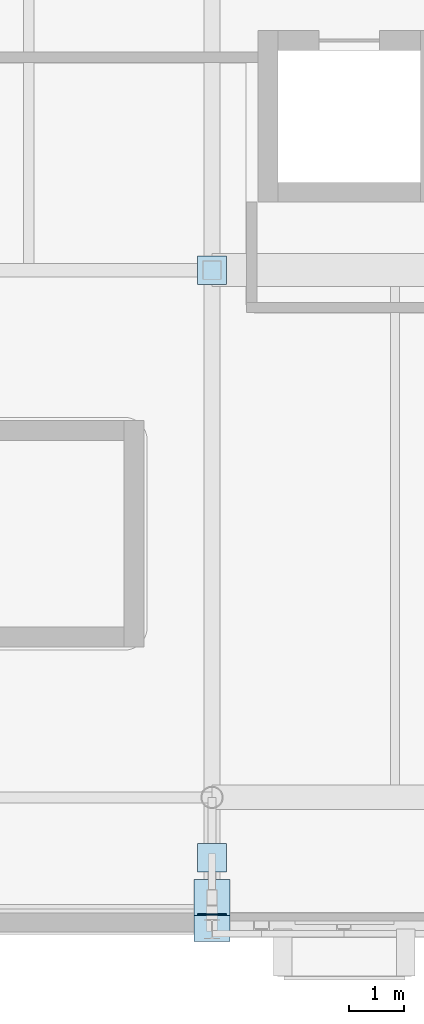
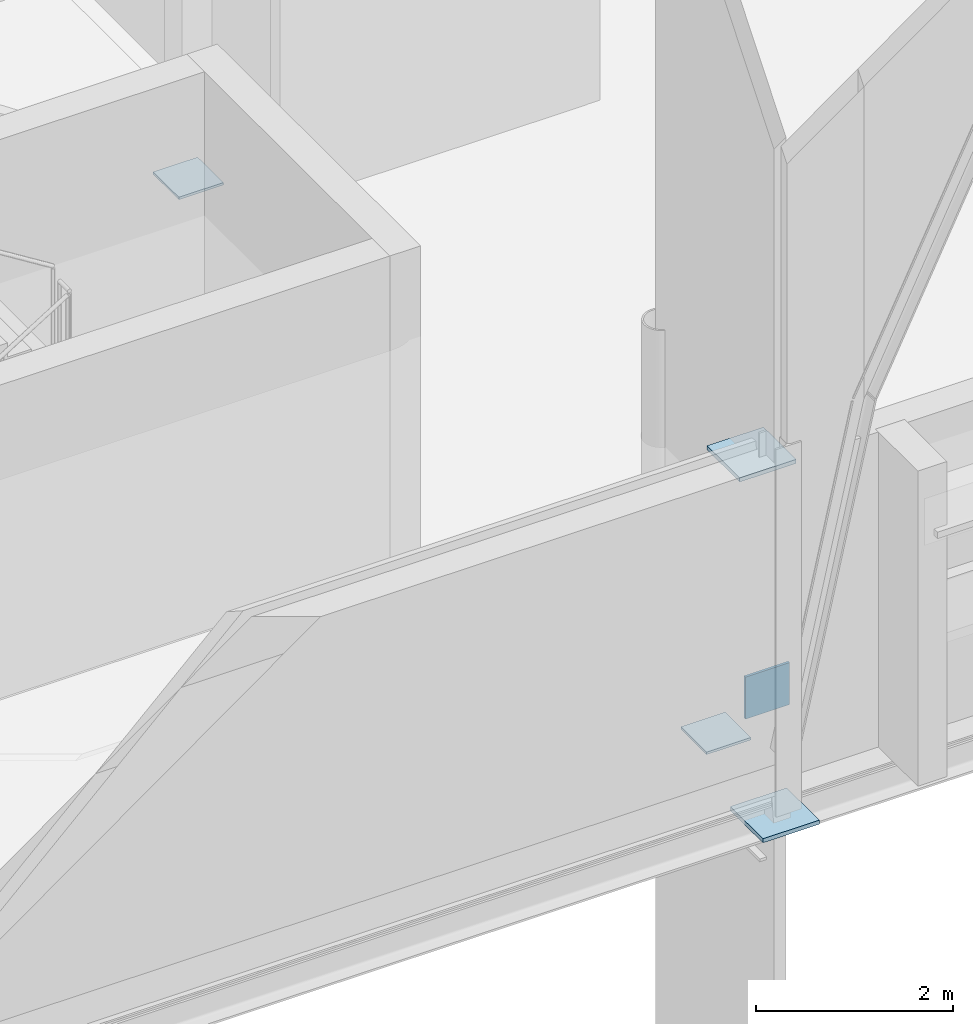
# One storey, part 56 of 90: 5 plates.
"""IFC4 building model written with IfcOpenShell, lengths in metres."""

from ifc_helpers import new_model, si_unit, direction, frame, origin, origin_2d, place, context, subcontext, project, spatial, rectangle, extrude, material, layer, layer_set, type_object, element, save


model = new_model("IFC4")

# Units and contexts
model_context = context("Model", 3, precision=1e-05, world=origin(), true_north=direction((0.0, 1.0)))
body_context = subcontext(model_context, "Body", "Model", "MODEL_VIEW")
ifc_project = project(units=[si_unit("LENGTHUNIT", "METRE"), si_unit("AREAUNIT", "SQUARE_METRE"), si_unit("VOLUMEUNIT", "CUBIC_METRE"), si_unit("PLANEANGLEUNIT", "RADIAN"), si_unit("MASSUNIT", "GRAM", prefix="KILO")], contexts=[model_context])

# Site, building, storey
site_placement = place(None, origin())
site = spatial("IfcSite", under=ifc_project, at=site_placement, CompositionType="ELEMENT")
building_placement = place(site_placement, origin())
building = spatial("IfcBuilding", under=site, at=building_placement, Name="Zereglee Splitstone Museum", CompositionType="ELEMENT")
storey_placement = place(building_placement, frame((0.0, 0.0, 4.800048828125)))
storey = spatial("IfcBuildingStorey", under=building, at=storey_placement, Name="L01", CompositionType="ELEMENT", Elevation=4.800048828125)

# Plates
ifc_material = material(Name="Steel S355J2", Category="steel")
ifc_layer_1 = layer(ifc_material, 0.030029296875)
ifc_layer_set_1 = layer_set([ifc_layer_1], Name="Steel S355J2")
plate_type_1 = type_object("IfcPlateType", Name="NP-04", PredefinedType="SHEET", material=ifc_layer_set_1)
for number, where, z_axis, x_axis, name in (
    (1, (195.199951171875, 9.60009765625, 0.10498046875), (0.0, 0.0, 1.0), (1.0, 0.0, 0.0), "CBF Brace Gusset Cap L01-016"),
    (2, (195.199951171875, -1.10009765625, -0.27490234375), (0.0, 0.0, 1.0), (1.0, 0.0, 0.0), "Facet Tie Seal Plate FH-V3S"),
):
    element("IfcPlate", number, at=place(storey_placement, frame(where, z_axis=z_axis, x_axis=x_axis)), inside=storey, type_object=plate_type_1, Name=name, PredefinedType="SHEET", context=body_context, shape_type="SweptSolid", body=[
        extrude(rectangle(XDim=0.52001953125, YDim=0.52001953125, at=origin_2d()), origin(), (0.0, 0.0, 1.0), 0.030029296875),
    ])
plate_placement = place(storey_placement, frame((195.199951171875, -2.131591796875, 0.639892578125), z_axis=(0.0, 0.0, 1.0), x_axis=(1.0, 0.0, 0.0)))
element("IfcPlate", 3, at=plate_placement, inside=storey, type_object=plate_type_1, Name="Facet Tie Seal Plate FH-V3S", PredefinedType="SHEET", context=body_context, shape_type="SweptSolid", body=[
    extrude(rectangle(XDim=0.52001953125, YDim=0.030029296875, at=origin_2d()), origin(), (0.0, 0.0, 1.0), 0.52001953125),
])
ifc_layer_2 = layer(ifc_material, 0.050048828125)
ifc_layer_set_2 = layer_set([ifc_layer_2], Name="Steel S355J2")
plate_type_2 = type_object("IfcPlateType", Name="NP-02", PredefinedType="SHEET", material=ifc_layer_set_2)
for number, where, z_axis, x_axis, name in (
    (4, (195.199951171875, -2.295166015625, -0.5751953125), (0.0, 0.0, 1.0), (1.0, 0.0, 0.0), "Facet Strut Seal Plate FH-V3S"),
    (5, (195.199951171875, -1.82421875, 3.60498046875), (0.0, 0.0, 1.0), (1.0, 0.0, 0.0), "Facet Strut Seal Plate FH-V3S"),
):
    element("IfcPlate", number, at=place(storey_placement, frame(where, z_axis=z_axis, x_axis=x_axis)), inside=storey, type_object=plate_type_2, Name=name, PredefinedType="SHEET", context=body_context, shape_type="SweptSolid", body=[
        extrude(rectangle(XDim=0.659912109375, YDim=0.659912109375, at=origin_2d()), origin(), (0.0, 0.0, 1.0), 0.050048828125),
    ])

save(model, "model.ifc")
